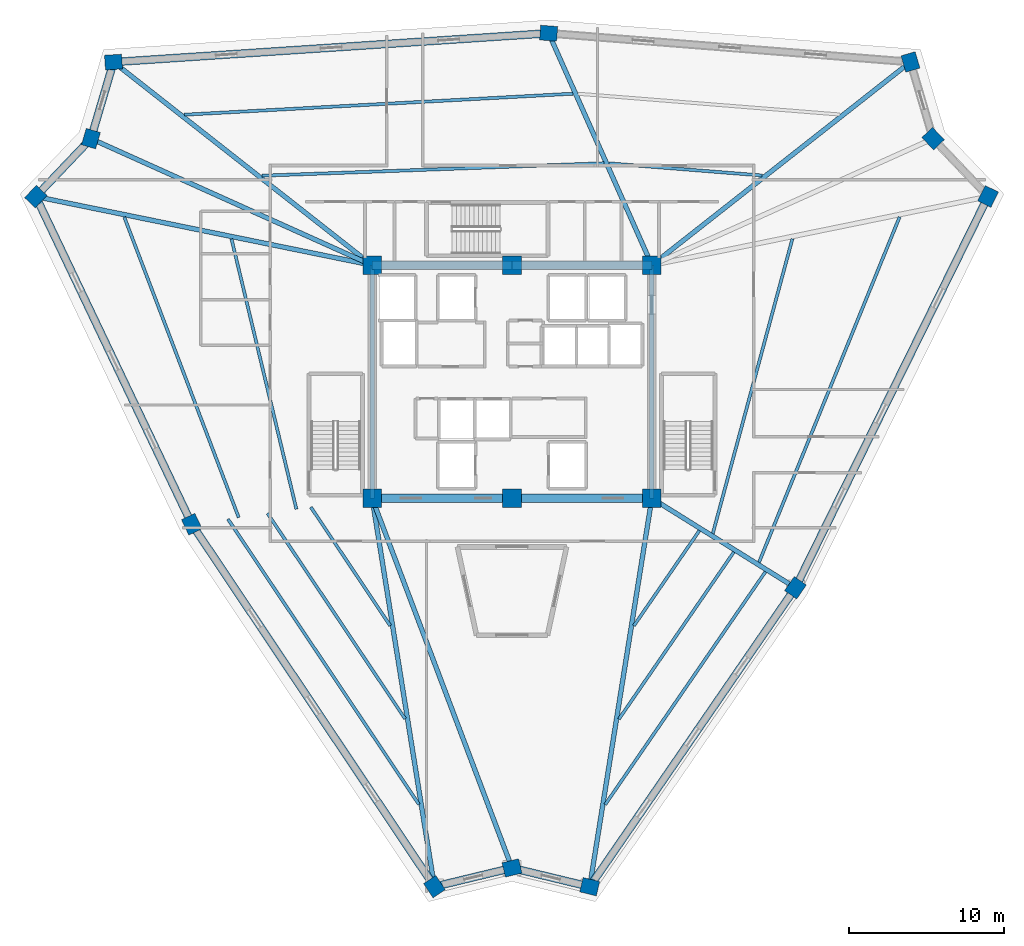
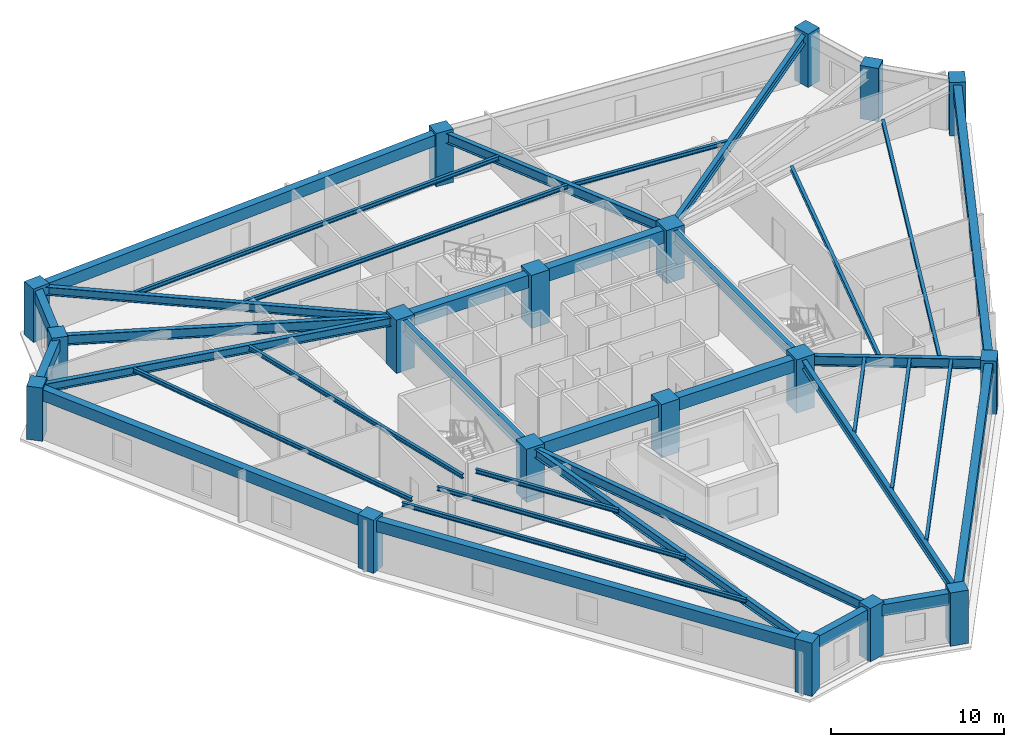
# One storey, part 1 of 10: 37 beams, 18 columns.
"""IFC4 building model written with IfcOpenShell, lengths in metres."""

from ifc_helpers import new_model, si_unit, direction, frame, origin, origin_2d, place, context, subcontext, project, spatial, rectangle, i_section, extrude, source, transform, mapped, material, material_profile, profile_set, type_object, element, save


model = new_model("IFC4")

# Units and contexts
model_context = context("Model", 3, precision=1e-05, world=origin(), true_north=direction((0.0, 1.0)))
body_context = subcontext(model_context, "Body", "Model", "MODEL_VIEW")
ifc_project = project(units=[si_unit("LENGTHUNIT", "METRE"), si_unit("AREAUNIT", "SQUARE_METRE"), si_unit("VOLUMEUNIT", "CUBIC_METRE"), si_unit("PLANEANGLEUNIT", "RADIAN"), si_unit("MASSUNIT", "GRAM", prefix="KILO")], contexts=[model_context])

# Site, building, storey
site_placement = place(None, origin())
site = spatial("IfcSite", under=ifc_project, at=site_placement, CompositionType="ELEMENT")
building_placement = place(site_placement, origin())
building = spatial("IfcBuilding", under=site, at=building_placement, Name="Liaohun Quay Tower", CompositionType="ELEMENT")
storey_placement = place(building_placement, frame((0.0, 0.0, 286.5)))
storey = spatial("IfcBuildingStorey", under=building, at=storey_placement, Name="L74", CompositionType="ELEMENT", Elevation=286.5)

# Columns
ifc_material_1 = material(Name="Concrete C50", Category="concrete")
ifc_material_profile_1 = material_profile(ifc_material_1, rectangle(XDim=1.199951171875, YDim=1.199951171875, at=origin_2d()), Name="RC1200x1200")
ifc_profile_set_1 = profile_set([ifc_material_profile_1], Name="Concrete C50")
column_type_1 = type_object("IfcColumnType", Name="COL-CC-Z4", PredefinedType="COLUMN", material=ifc_profile_set_1)
shared_shape_1 = source(origin(), body_context, "Body", "SweptSolid", [
    extrude(rectangle(XDim=1.199951171875, YDim=1.199951171875, at=origin_2d()), origin(), (0.0, 0.0, 1.0), 3.75),
])
for number, where, z_axis, x_axis, name in (
    (1, (51.0, 46.5, 0.0), (0.0, 0.0, 1.0), (1.0, 0.0, 0.0), "L74 Core Column CC1"),
    (2, (60.0, 46.5, 0.0), (0.0, 0.0, 1.0), (1.0, 0.0, 0.0), "L74 Core Column CC2"),
    (3, (69.0, 46.5, 0.0), (0.0, 0.0, 1.0), (1.0, 0.0, 0.0), "L74 Core Column CC3"),
    (4, (69.0, 61.5, 0.0), (0.0, 0.0, 1.0), (1.0, 0.0, 0.0), "L74 Core Column CC4"),
    (5, (60.0, 61.5, 0.0), (0.0, 0.0, 1.0), (1.0, 0.0, 0.0), "L74 Core Column CC5"),
    (6, (51.0, 61.5, 0.0), (0.0, 0.0, 1.0), (1.0, 0.0, 0.0), "L74 Core Column CC6"),
):
    element("IfcColumn", number, at=place(storey_placement, frame(where, z_axis=z_axis, x_axis=x_axis)), inside=storey, type_object=column_type_1, Name=name, PredefinedType="COLUMN", context=body_context, shape_type="MappedRepresentation", body=[
        mapped(shared_shape_1, transform((0.0, 0.0, 0.0), x_axis=(1.0, 0.0, 0.0), y_axis=(0.0, 1.0, 0.0), z_axis=(0.0, 0.0, 1.0), scale=1.0)),
    ])
ifc_material_profile_2 = material_profile(ifc_material_1, rectangle(XDim=1.10009765625, YDim=0.949951171875, at=origin_2d()), Name="RC1100x950")
ifc_profile_set_2 = profile_set([ifc_material_profile_2], Name="Concrete C50")
column_type_2 = type_object("IfcColumnType", Name="COL-PIER-Z4", PredefinedType="COLUMN", material=ifc_profile_set_2)
shared_shape_2 = source(origin(), body_context, "Body", "SweptSolid", [
    extrude(rectangle(XDim=1.10009765625, YDim=0.949951171875, at=origin_2d()), origin(), (0.0, 0.0, 1.0), 3.75),
])
for number, where, z_axis, x_axis, name in (
    (7, (55.008056640625, 21.507080078125, 0.0), (0.0, 0.0, 1.0), (-0.556150572878, 0.831081548518, 0.0), "L74 Perimeter Pier PC01"),
    (8, (39.39697265625, 44.8310546875, 0.0), (0.0, 0.0, 1.0), (-0.429880868547, 0.902885617815, 0.0), "L74 Perimeter Pier PC02"),
    (9, (29.35791015625, 65.9169921875, 0.0), (0.0, 0.0, 1.0), (0.68936671806, 0.724412539946, 0.0), "L74 Perimeter Pier PC03"),
    (10, (32.904052734375, 69.64404296875, 0.0), (0.0, 0.0, 1.0), (0.28284371374, 0.959166009405, 0.0), "L74 Perimeter Pier PC04"),
    (11, (34.35693359375, 74.570068359375, 0.0), (0.0, 0.0, 1.0), (0.997813020072, 0.066099750182, 0.0), "L74 Perimeter Pier PC05"),
    (12, (62.360107421875, 76.427001953125, 0.0), (0.0, 0.0, 1.0), (-0.996862316013, 0.079155056145, 0.0), "L74 Perimeter Pier PC06"),
    (13, (85.64111328125, 74.577880859375, 0.0), (0.0, 0.0, 1.0), (-0.28284371374, 0.959166009405, 0.0), "L74 Perimeter Pier PC07"),
    (14, (87.095947265625, 69.64404296875, 0.0), (0.0, 0.0, 1.0), (-0.68936671806, 0.724412539946, 0.0), "L74 Perimeter Pier PC08"),
    (15, (90.636962890625, 65.923095703125, 0.0), (0.0, 0.0, 1.0), (0.441662447194, 0.897181298701, 0.0), "L74 Perimeter Pier PC09"),
    (16, (78.241943359375, 40.741943359375, 0.0), (0.0, 0.0, 1.0), (0.566981447466, 0.82373056167, 0.0), "L74 Perimeter Pier PC10"),
    (17, (65.0, 21.5048828125, 0.0), (0.0, 0.0, 1.0), (-0.972083987461, 0.234633163303, 0.0), "L74 Perimeter Pier PC11"),
    (18, (60.0, 22.7119140625, 0.0), (0.0, 0.0, 1.0), (0.972083987461, 0.234633163303, 0.0), "L74 Perimeter Pier PC12"),
):
    element("IfcColumn", number, at=place(storey_placement, frame(where, z_axis=z_axis, x_axis=x_axis)), inside=storey, type_object=column_type_2, Name=name, PredefinedType="COLUMN", context=body_context, shape_type="MappedRepresentation", body=[
        mapped(shared_shape_2, transform((0.0, 0.0, 0.0), x_axis=(1.0, 0.0, 0.0), y_axis=(0.0, 1.0, 0.0), z_axis=(0.0, 0.0, 1.0), scale=1.0)),
    ])

# Beams
ifc_material_2 = material(Name="Steel Q355D", Category="steel")
ifc_material_profile_3 = material_profile(ifc_material_2, i_section(OverallWidth=0.300048828125, OverallDepth=0.800048828125, WebThickness=0.013916015625, FlangeThickness=0.02587890625, at=origin_2d()), Name="HN800x300x14x26")
ifc_profile_set_3 = profile_set([ifc_material_profile_3], Name="Steel Q355D")
beam_type_1 = type_object("IfcBeamType", Name="BM-RAD-M1", PredefinedType="BEAM", material=ifc_profile_set_3)
shared_shape_3 = source(origin(), body_context, "Body", "SweptSolid", [
    extrude(i_section(OverallWidth=0.300048828125, OverallDepth=0.800048828125, WebThickness=0.013916015625, FlangeThickness=0.02587890625, at=origin_2d()), origin(), (0.0, 0.0, 1.0), 15.0),
])
for number, where, z_axis, x_axis, name in (
    (19, (69.0, 46.5, 3.169921875), (0.0, 1.0, 0.0), (-1.0, 0.0, 0.0), "L74 Core Coupling/Ring Beam CC3-CC4"),
    (20, (51.0, 61.5, 3.169921875), (0.0, -1.0, 0.0), (1.0, 0.0, 0.0), "L74 Core Coupling/Ring Beam CC6-CC1"),
):
    element("IfcBeam", number, at=place(storey_placement, frame(where, z_axis=z_axis, x_axis=x_axis)), inside=storey, type_object=beam_type_1, Name=name, PredefinedType="BEAM", context=body_context, shape_type="MappedRepresentation", body=[
        mapped(shared_shape_3, transform((0.0, 0.0, 0.0), x_axis=(1.0, 0.0, 0.0), y_axis=(0.0, 1.0, 0.0), z_axis=(0.0, 0.0, 1.0), scale=1.0)),
    ])
ifc_material_3 = material(Name="Concrete C55", Category="concrete")
ifc_material_profile_4 = material_profile(ifc_material_3, rectangle(XDim=0.550048828125, YDim=0.89990234375, at=origin_2d()), Name="RC550x900")
ifc_profile_set_4 = profile_set([ifc_material_profile_4], Name="Concrete C55")
beam_type_2 = type_object("IfcBeamType", Name="BM-CPL-2", PredefinedType="LINTEL", material=ifc_profile_set_4)
shared_shape_4 = source(origin(), body_context, "Body", "SweptSolid", [
    extrude(rectangle(XDim=0.550048828125, YDim=0.89990234375, at=origin_2d()), origin(), (0.0, 0.0, 1.0), 9.0),
])
for number, where, z_axis, x_axis, name in (
    (21, (51.0, 46.5, 3.1201171875), (1.0, 0.0, 0.0), (0.0, 1.0, 0.0), "L74 Core Coupling/Ring Beam CC1-CC2"),
    (22, (60.0, 46.5, 3.1201171875), (1.0, 0.0, 0.0), (0.0, 1.0, 0.0), "L74 Core Coupling/Ring Beam CC2-CC3"),
    (23, (69.0, 61.5, 3.1201171875), (-1.0, 0.0, 0.0), (0.0, -1.0, 0.0), "L74 Core Coupling/Ring Beam CC4-CC5"),
    (24, (60.0, 61.5, 3.1201171875), (-1.0, 0.0, 0.0), (0.0, -1.0, 0.0), "L74 Core Coupling/Ring Beam CC5-CC6"),
):
    element("IfcBeam", number, at=place(storey_placement, frame(where, z_axis=z_axis, x_axis=x_axis)), inside=storey, type_object=beam_type_2, Name=name, PredefinedType="LINTEL", context=body_context, shape_type="MappedRepresentation", body=[
        mapped(shared_shape_4, transform((0.0, 0.0, 0.0), x_axis=(1.0, 0.0, 0.0), y_axis=(0.0, 1.0, 0.0), z_axis=(0.0, 0.0, 1.0), scale=1.0)),
    ])
ifc_material_profile_5 = material_profile(ifc_material_2, i_section(OverallWidth=0.300048828125, OverallDepth=0.587890625, WebThickness=0.011962890625, FlangeThickness=0.02001953125, at=origin_2d()), Name="HM588x300x12x20")
ifc_profile_set_5 = profile_set([ifc_material_profile_5], Name="Steel Q355D")
beam_type_3 = type_object("IfcBeamType", Name="BM-RAD-U2", PredefinedType="BEAM", material=ifc_profile_set_5)
shared_shape_5 = source(origin(), body_context, "Body", "SweptSolid", [
    extrude(i_section(OverallWidth=0.300048828125, OverallDepth=0.587890625, WebThickness=0.011962890625, FlangeThickness=0.02001953125, at=origin_2d()), origin(), (0.0, 0.0, 1.0), 25.312255859375),
])
beam_1_placement = place(storey_placement, frame((51.0, 46.5, 3.27587890625), z_axis=(0.158344472575, -0.987383931409, 0.0), x_axis=(0.987383931409, 0.158344472575, 0.0)))
element("IfcBeam", 25, at=beam_1_placement, inside=storey, type_object=beam_type_3, Name="L74 Radial Primary Girder CC1-PC01", PredefinedType="BEAM", context=body_context, shape_type="MappedRepresentation", body=[
    mapped(shared_shape_5, transform((0.0, 0.0, 0.0), x_axis=(1.0, 0.0, 0.0), y_axis=(0.0, 1.0, 0.0), z_axis=(0.0, 0.0, 1.0), scale=1.0)),
])
shared_shape_6 = source(origin(), body_context, "Body", "SweptSolid", [
    extrude(i_section(OverallWidth=0.300048828125, OverallDepth=0.587890625, WebThickness=0.011962890625, FlangeThickness=0.02001953125, at=origin_2d()), origin(), (0.0, 0.0, 1.0), 22.088134765625),
])
beam_2_placement = place(storey_placement, frame((51.0, 61.5, 3.27587890625), z_axis=(-0.979801937403, 0.199970406465, 0.0), x_axis=(-0.199970406465, -0.979801937403, 0.0)))
element("IfcBeam", 26, at=beam_2_placement, inside=storey, type_object=beam_type_3, Name="L74 Radial Primary Girder CC6-PC03", PredefinedType="BEAM", context=body_context, shape_type="MappedRepresentation", body=[
    mapped(shared_shape_6, transform((0.0, 0.0, 0.0), x_axis=(1.0, 0.0, 0.0), y_axis=(0.0, 1.0, 0.0), z_axis=(0.0, 0.0, 1.0), scale=1.0)),
])
ifc_material_profile_6 = material_profile(ifc_material_2, i_section(OverallWidth=0.300048828125, OverallDepth=0.699951171875, WebThickness=0.012939453125, FlangeThickness=0.02392578125, at=origin_2d()), Name="HN700x300x13x24")
ifc_profile_set_6 = profile_set([ifc_material_profile_6], Name="Steel Q355D")
beam_type_4 = type_object("IfcBeamType", Name="BM-RAD-U1", PredefinedType="BEAM", material=ifc_profile_set_6)
shared_shape_7 = source(origin(), body_context, "Body", "SweptSolid", [
    extrude(i_section(OverallWidth=0.300048828125, OverallDepth=0.699951171875, WebThickness=0.012939453125, FlangeThickness=0.02392578125, at=origin_2d()), origin(), (0.0, 0.0, 1.0), 19.843994140625),
])
beam_3_placement = place(storey_placement, frame((51.0, 61.5, 3.219970703125), z_axis=(-0.911905160232, 0.410400997491, 0.0), x_axis=(-0.410400997491, -0.911905160232, 0.0)))
element("IfcBeam", 27, at=beam_3_placement, inside=storey, type_object=beam_type_4, Name="L74 Radial Primary Girder CC6-PC04", PredefinedType="BEAM", context=body_context, shape_type="MappedRepresentation", body=[
    mapped(shared_shape_7, transform((0.0, 0.0, 0.0), x_axis=(1.0, 0.0, 0.0), y_axis=(0.0, 1.0, 0.0), z_axis=(0.0, 0.0, 1.0), scale=1.0)),
])
shared_shape_8 = source(origin(), body_context, "Body", "SweptSolid", [
    extrude(i_section(OverallWidth=0.300048828125, OverallDepth=0.587890625, WebThickness=0.011962890625, FlangeThickness=0.02001953125, at=origin_2d()), origin(), (0.0, 0.0, 1.0), 21.16162109375),
])
beam_4_placement = place(storey_placement, frame((51.0, 61.5, 3.27587890625), z_axis=(-0.786470441926, 0.617627917097, 0.0), x_axis=(-0.617627917097, -0.786470441926, 0.0)))
element("IfcBeam", 28, at=beam_4_placement, inside=storey, type_object=beam_type_3, Name="L74 Radial Primary Girder CC6-PC05", PredefinedType="BEAM", context=body_context, shape_type="MappedRepresentation", body=[
    mapped(shared_shape_8, transform((0.0, 0.0, 0.0), x_axis=(1.0, 0.0, 0.0), y_axis=(0.0, 1.0, 0.0), z_axis=(0.0, 0.0, 1.0), scale=1.0)),
])
shared_shape_9 = source(origin(), body_context, "Body", "SweptSolid", [
    extrude(i_section(OverallWidth=0.300048828125, OverallDepth=0.699951171875, WebThickness=0.012939453125, FlangeThickness=0.02392578125, at=origin_2d()), origin(), (0.0, 0.0, 1.0), 16.337158203125),
])
beam_5_placement = place(storey_placement, frame((69.0, 61.5, 3.219970703125), z_axis=(-0.406428233319, 0.913682708144, 0.0), x_axis=(-0.913682708144, -0.406428233319, 0.0)))
element("IfcBeam", 29, at=beam_5_placement, inside=storey, type_object=beam_type_4, Name="L74 Radial Primary Girder CC4-PC06", PredefinedType="BEAM", context=body_context, shape_type="MappedRepresentation", body=[
    mapped(shared_shape_9, transform((0.0, 0.0, 0.0), x_axis=(1.0, 0.0, 0.0), y_axis=(0.0, 1.0, 0.0), z_axis=(0.0, 0.0, 1.0), scale=1.0)),
])
shared_shape_10 = source(origin(), body_context, "Body", "SweptSolid", [
    extrude(i_section(OverallWidth=0.300048828125, OverallDepth=0.587890625, WebThickness=0.011962890625, FlangeThickness=0.02001953125, at=origin_2d()), origin(), (0.0, 0.0, 1.0), 21.1650390625),
])
beam_6_placement = place(storey_placement, frame((69.0, 61.5, 3.27587890625), z_axis=(0.786255892403, 0.617901020926, 0.0), x_axis=(-0.617901020926, 0.786255892403, 0.0)))
element("IfcBeam", 30, at=beam_6_placement, inside=storey, type_object=beam_type_3, Name="L74 Radial Primary Girder CC4-PC07", PredefinedType="BEAM", context=body_context, shape_type="MappedRepresentation", body=[
    mapped(shared_shape_10, transform((0.0, 0.0, 0.0), x_axis=(1.0, 0.0, 0.0), y_axis=(0.0, 1.0, 0.0), z_axis=(0.0, 0.0, 1.0), scale=1.0)),
])
shared_shape_11 = source(origin(), body_context, "Body", "SweptSolid", [
    extrude(i_section(OverallWidth=0.300048828125, OverallDepth=0.699951171875, WebThickness=0.012939453125, FlangeThickness=0.02392578125, at=origin_2d()), origin(), (0.0, 0.0, 1.0), 10.888916015625),
])
beam_7_placement = place(storey_placement, frame((69.0, 46.5, 3.219970703125), z_axis=(0.848746922137, -0.528799264525, 0.0), x_axis=(0.528799264525, 0.848746922137, 0.0)))
element("IfcBeam", 31, at=beam_7_placement, inside=storey, type_object=beam_type_4, Name="L74 Radial Primary Girder CC3-PC10", PredefinedType="BEAM", context=body_context, shape_type="MappedRepresentation", body=[
    mapped(shared_shape_11, transform((0.0, 0.0, 0.0), x_axis=(1.0, 0.0, 0.0), y_axis=(0.0, 1.0, 0.0), z_axis=(0.0, 0.0, 1.0), scale=1.0)),
])
shared_shape_12 = source(origin(), body_context, "Body", "SweptSolid", [
    extrude(i_section(OverallWidth=0.300048828125, OverallDepth=0.587890625, WebThickness=0.011962890625, FlangeThickness=0.02001953125, at=origin_2d()), origin(), (0.0, 0.0, 1.0), 25.313232421875),
])
beam_8_placement = place(storey_placement, frame((69.0, 46.5, 3.27587890625), z_axis=(-0.158020594049, -0.987435816576, 0.0), x_axis=(0.987435816576, -0.158020594049, 0.0)))
element("IfcBeam", 32, at=beam_8_placement, inside=storey, type_object=beam_type_3, Name="L74 Radial Primary Girder CC3-PC11", PredefinedType="BEAM", context=body_context, shape_type="MappedRepresentation", body=[
    mapped(shared_shape_12, transform((0.0, 0.0, 0.0), x_axis=(1.0, 0.0, 0.0), y_axis=(0.0, 1.0, 0.0), z_axis=(0.0, 0.0, 1.0), scale=1.0)),
])
shared_shape_13 = source(origin(), body_context, "Body", "SweptSolid", [
    extrude(i_section(OverallWidth=0.300048828125, OverallDepth=0.699951171875, WebThickness=0.012939453125, FlangeThickness=0.02392578125, at=origin_2d()), origin(), (0.0, 0.0, 1.0), 25.43359375),
])
beam_9_placement = place(storey_placement, frame((51.0, 46.5, 3.219970703125), z_axis=(0.353861232896, -0.935297935341, 0.0), x_axis=(0.935297935341, 0.353861232896, 0.0)))
element("IfcBeam", 33, at=beam_9_placement, inside=storey, type_object=beam_type_4, Name="L74 Radial Primary Girder CC1-PC12", PredefinedType="BEAM", context=body_context, shape_type="MappedRepresentation", body=[
    mapped(shared_shape_13, transform((0.0, 0.0, 0.0), x_axis=(1.0, 0.0, 0.0), y_axis=(0.0, 1.0, 0.0), z_axis=(0.0, 0.0, 1.0), scale=1.0)),
])
ifc_material_profile_7 = material_profile(ifc_material_2, i_section(OverallWidth=0.199951171875, OverallDepth=0.2939453125, WebThickness=0.008056640625, FlangeThickness=0.011962890625, at=origin_2d()), Name="HM294x200x8x12")
ifc_profile_set_7 = profile_set([ifc_material_profile_7], Name="Steel Q355D")
beam_type_5 = type_object("IfcBeamType", Name="BM-SEC-J4", PredefinedType="JOIST", material=ifc_profile_set_7)
shared_shape_14 = source(origin(), body_context, "Body", "SweptSolid", [
    extrude(i_section(OverallWidth=0.199951171875, OverallDepth=0.2939453125, WebThickness=0.008056640625, FlangeThickness=0.011962890625, at=origin_2d()), origin(), (0.0, 0.0, 1.0), 9.183837890625),
])
beam_10_placement = place(storey_placement, frame((52.1630859375, 38.301025390625, 3.423095703125), z_axis=(-0.556214557636, 0.83103872706, 0.0), x_axis=(-0.83103872706, -0.556214557636, 0.0)))
element("IfcBeam", 34, at=beam_10_placement, inside=storey, type_object=beam_type_5, Name="L74 Wing Secondary Floor Joist SJ-01", PredefinedType="JOIST", context=body_context, shape_type="MappedRepresentation", body=[
    mapped(shared_shape_14, transform((0.0, 0.0, 0.0), x_axis=(1.0, 0.0, 0.0), y_axis=(0.0, 1.0, 0.0), z_axis=(0.0, 0.0, 1.0), scale=1.0)),
])
shared_shape_15 = source(origin(), body_context, "Body", "SweptSolid", [
    extrude(i_section(OverallWidth=0.199951171875, OverallDepth=0.2939453125, WebThickness=0.008056640625, FlangeThickness=0.011962890625, at=origin_2d()), origin(), (0.0, 0.0, 1.0), 15.919189453125),
])
beam_11_placement = place(storey_placement, frame((53.125, 32.302978515625, 3.423095703125), z_axis=(-0.556249384541, 0.831015416342, 0.0), x_axis=(-0.831015416342, -0.556249384541, 0.0)))
element("IfcBeam", 35, at=beam_11_placement, inside=storey, type_object=beam_type_5, Name="L74 Wing Secondary Floor Joist SJ-02", PredefinedType="JOIST", context=body_context, shape_type="MappedRepresentation", body=[
    mapped(shared_shape_15, transform((0.0, 0.0, 0.0), x_axis=(1.0, 0.0, 0.0), y_axis=(0.0, 1.0, 0.0), z_axis=(0.0, 0.0, 1.0), scale=1.0)),
])
shared_shape_16 = source(origin(), body_context, "Body", "SweptSolid", [
    extrude(i_section(OverallWidth=0.199951171875, OverallDepth=0.2939453125, WebThickness=0.008056640625, FlangeThickness=0.011962890625, at=origin_2d()), origin(), (0.0, 0.0, 1.0), 22.09423828125),
])
beam_12_placement = place(storey_placement, frame((54.007080078125, 26.803955078125, 3.423095703125), z_axis=(-0.556213980293, 0.831039113476, 0.0), x_axis=(-0.831039113476, -0.556213980293, 0.0)))
element("IfcBeam", 36, at=beam_12_placement, inside=storey, type_object=beam_type_5, Name="L74 Wing Secondary Floor Joist SJ-03", PredefinedType="JOIST", context=body_context, shape_type="MappedRepresentation", body=[
    mapped(shared_shape_16, transform((0.0, 0.0, 0.0), x_axis=(1.0, 0.0, 0.0), y_axis=(0.0, 1.0, 0.0), z_axis=(0.0, 0.0, 1.0), scale=1.0)),
])
shared_shape_17 = source(origin(), body_context, "Body", "SweptSolid", [
    extrude(i_section(OverallWidth=0.199951171875, OverallDepth=0.2939453125, WebThickness=0.008056640625, FlangeThickness=0.011962890625, at=origin_2d()), origin(), (0.0, 0.0, 1.0), 17.8896484375),
])
beam_13_placement = place(storey_placement, frame((46.126953125, 45.799072265625, 3.423095703125), z_axis=(-0.233540697382, 0.9723470279, 0.0), x_axis=(-0.9723470279, -0.233540697382, 0.0)))
element("IfcBeam", 37, at=beam_13_placement, inside=storey, type_object=beam_type_5, Name="L74 Wing Secondary Floor Joist SJ-04", PredefinedType="JOIST", context=body_context, shape_type="MappedRepresentation", body=[
    mapped(shared_shape_17, transform((0.0, 0.0, 0.0), x_axis=(1.0, 0.0, 0.0), y_axis=(0.0, 1.0, 0.0), z_axis=(0.0, 0.0, 1.0), scale=1.0)),
])
shared_shape_18 = source(origin(), body_context, "Body", "SweptSolid", [
    extrude(i_section(OverallWidth=0.199951171875, OverallDepth=0.2939453125, WebThickness=0.008056640625, FlangeThickness=0.011962890625, at=origin_2d()), origin(), (0.0, 0.0, 1.0), 20.693603515625),
])
beam_14_placement = place(storey_placement, frame((42.4140625, 45.264892578125, 3.423095703125), z_axis=(-0.355955588077, 0.934502872824, 0.0), x_axis=(-0.934502872824, -0.355955588077, 0.0)))
element("IfcBeam", 38, at=beam_14_placement, inside=storey, type_object=beam_type_5, Name="L74 Wing Secondary Floor Joist SJ-05", PredefinedType="JOIST", context=body_context, shape_type="MappedRepresentation", body=[
    mapped(shared_shape_18, transform((0.0, 0.0, 0.0), x_axis=(1.0, 0.0, 0.0), y_axis=(0.0, 1.0, 0.0), z_axis=(0.0, 0.0, 1.0), scale=1.0)),
])
shared_shape_19 = source(origin(), body_context, "Body", "SweptSolid", [
    extrude(i_section(OverallWidth=0.199951171875, OverallDepth=0.2939453125, WebThickness=0.008056640625, FlangeThickness=0.011962890625, at=origin_2d()), origin(), (0.0, 0.0, 1.0), 22.022705078125),
])
beam_15_placement = place(storey_placement, frame((43.908935546875, 67.259033203125, 3.423095703125), z_axis=(0.999335062037, 0.036461401287, 0.0), x_axis=(-0.036461401287, 0.999335062037, 0.0)))
element("IfcBeam", 39, at=beam_15_placement, inside=storey, type_object=beam_type_5, Name="L74 Wing Secondary Floor Joist SJ-06", PredefinedType="JOIST", context=body_context, shape_type="MappedRepresentation", body=[
    mapped(shared_shape_19, transform((0.0, 0.0, 0.0), x_axis=(1.0, 0.0, 0.0), y_axis=(0.0, 1.0, 0.0), z_axis=(0.0, 0.0, 1.0), scale=1.0)),
])
shared_shape_20 = source(origin(), body_context, "Body", "SweptSolid", [
    extrude(i_section(OverallWidth=0.199951171875, OverallDepth=0.2939453125, WebThickness=0.008056640625, FlangeThickness=0.011962890625, at=origin_2d()), origin(), (0.0, 0.0, 1.0), 25.0517578125),
])
beam_16_placement = place(storey_placement, frame((38.910888671875, 71.18408203125, 3.423095703125), z_axis=(0.99854042723, 0.054009399072, 0.0), x_axis=(-0.054009399072, 0.99854042723, 0.0)))
element("IfcBeam", 40, at=beam_16_placement, inside=storey, type_object=beam_type_5, Name="L74 Wing Secondary Floor Joist SJ-07", PredefinedType="JOIST", context=body_context, shape_type="MappedRepresentation", body=[
    mapped(shared_shape_20, transform((0.0, 0.0, 0.0), x_axis=(1.0, 0.0, 0.0), y_axis=(0.0, 1.0, 0.0), z_axis=(0.0, 0.0, 1.0), scale=1.0)),
])
shared_shape_21 = source(origin(), body_context, "Body", "SweptSolid", [
    extrude(i_section(OverallWidth=0.199951171875, OverallDepth=0.2939453125, WebThickness=0.008056640625, FlangeThickness=0.011962890625, at=origin_2d()), origin(), (0.0, 0.0, 1.0), 9.884033203125),
])
beam_17_placement = place(storey_placement, frame((66.2490234375, 68.053955078125, 3.423095703125), z_axis=(0.996865423498, -0.07911591138, 0.0), x_axis=(0.07911591138, 0.996865423498, 0.0)))
element("IfcBeam", 41, at=beam_17_placement, inside=storey, type_object=beam_type_5, Name="L74 Wing Secondary Floor Joist SJ-08", PredefinedType="JOIST", context=body_context, shape_type="MappedRepresentation", body=[
    mapped(shared_shape_21, transform((0.0, 0.0, 0.0), x_axis=(1.0, 0.0, 0.0), y_axis=(0.0, 1.0, 0.0), z_axis=(0.0, 0.0, 1.0), scale=1.0)),
])
shared_shape_22 = source(origin(), body_context, "Body", "SweptSolid", [
    extrude(i_section(OverallWidth=0.199951171875, OverallDepth=0.2939453125, WebThickness=0.008056640625, FlangeThickness=0.011962890625, at=origin_2d()), origin(), (0.0, 0.0, 1.0), 19.642578125),
])
beam_18_placement = place(storey_placement, frame((78.0439453125, 63.196044921875, 3.423095703125), z_axis=(-0.260750302979, -0.96540627691, 0.0), x_axis=(0.96540627691, -0.260750302979, 0.0)))
element("IfcBeam", 42, at=beam_18_placement, inside=storey, type_object=beam_type_5, Name="L74 Wing Secondary Floor Joist SJ-10", PredefinedType="JOIST", context=body_context, shape_type="MappedRepresentation", body=[
    mapped(shared_shape_22, transform((0.0, 0.0, 0.0), x_axis=(1.0, 0.0, 0.0), y_axis=(0.0, 1.0, 0.0), z_axis=(0.0, 0.0, 1.0), scale=1.0)),
])
shared_shape_23 = source(origin(), body_context, "Body", "SweptSolid", [
    extrude(i_section(OverallWidth=0.199951171875, OverallDepth=0.2939453125, WebThickness=0.008056640625, FlangeThickness=0.011962890625, at=origin_2d()), origin(), (0.0, 0.0, 1.0), 23.996826171875),
])
beam_19_placement = place(storey_placement, frame((84.943115234375, 64.60595703125, 3.423095703125), z_axis=(-0.377012803368, -0.926208046875, 0.0), x_axis=(0.926208046875, -0.377012803368, 0.0)))
element("IfcBeam", 43, at=beam_19_placement, inside=storey, type_object=beam_type_5, Name="L74 Wing Secondary Floor Joist SJ-11", PredefinedType="JOIST", context=body_context, shape_type="MappedRepresentation", body=[
    mapped(shared_shape_23, transform((0.0, 0.0, 0.0), x_axis=(1.0, 0.0, 0.0), y_axis=(0.0, 1.0, 0.0), z_axis=(0.0, 0.0, 1.0), scale=1.0)),
])
shared_shape_24 = source(origin(), body_context, "Body", "SweptSolid", [
    extrude(i_section(OverallWidth=0.199951171875, OverallDepth=0.2939453125, WebThickness=0.008056640625, FlangeThickness=0.011962890625, at=origin_2d()), origin(), (0.0, 0.0, 1.0), 7.44140625),
])
beam_20_placement = place(storey_placement, frame((72.056884765625, 44.4189453125, 3.423095703125), z_axis=(-0.566957601742, -0.823746974396, 0.0), x_axis=(0.823746974396, -0.566957601742, 0.0)))
element("IfcBeam", 44, at=beam_20_placement, inside=storey, type_object=beam_type_5, Name="L74 Wing Secondary Floor Joist SJ-12", PredefinedType="JOIST", context=body_context, shape_type="MappedRepresentation", body=[
    mapped(shared_shape_24, transform((0.0, 0.0, 0.0), x_axis=(1.0, 0.0, 0.0), y_axis=(0.0, 1.0, 0.0), z_axis=(0.0, 0.0, 1.0), scale=1.0)),
])
shared_shape_25 = source(origin(), body_context, "Body", "SweptSolid", [
    extrude(i_section(OverallWidth=0.199951171875, OverallDepth=0.2939453125, WebThickness=0.008056640625, FlangeThickness=0.011962890625, at=origin_2d()), origin(), (0.0, 0.0, 1.0), 13.046630859375),
])
beam_21_placement = place(storey_placement, frame((74.27490234375, 43.037109375, 3.423095703125), z_axis=(-0.566963955692, -0.823742601148, 0.0), x_axis=(0.823742601148, -0.566963955692, 0.0)))
element("IfcBeam", 45, at=beam_21_placement, inside=storey, type_object=beam_type_5, Name="L74 Wing Secondary Floor Joist SJ-13", PredefinedType="JOIST", context=body_context, shape_type="MappedRepresentation", body=[
    mapped(shared_shape_25, transform((0.0, 0.0, 0.0), x_axis=(1.0, 0.0, 0.0), y_axis=(0.0, 1.0, 0.0), z_axis=(0.0, 0.0, 1.0), scale=1.0)),
])
shared_shape_26 = source(origin(), body_context, "Body", "SweptSolid", [
    extrude(i_section(OverallWidth=0.199951171875, OverallDepth=0.2939453125, WebThickness=0.008056640625, FlangeThickness=0.011962890625, at=origin_2d()), origin(), (0.0, 0.0, 1.0), 18.183349609375),
])
beam_22_placement = place(storey_placement, frame((76.30810546875, 41.77001953125, 3.423095703125), z_axis=(-0.567001684763, -0.823716631783, 0.0), x_axis=(0.823716631783, -0.567001684763, 0.0)))
element("IfcBeam", 46, at=beam_22_placement, inside=storey, type_object=beam_type_5, Name="L74 Wing Secondary Floor Joist SJ-14", PredefinedType="JOIST", context=body_context, shape_type="MappedRepresentation", body=[
    mapped(shared_shape_26, transform((0.0, 0.0, 0.0), x_axis=(1.0, 0.0, 0.0), y_axis=(0.0, 1.0, 0.0), z_axis=(0.0, 0.0, 1.0), scale=1.0)),
])
ifc_material_4 = material(Name="Precast concrete C50", Category="concrete")
ifc_material_profile_8 = material_profile(ifc_material_4, rectangle(XDim=0.5, YDim=0.800048828125, at=origin_2d()), Name="RC500x800")
ifc_profile_set_8 = profile_set([ifc_material_profile_8], Name="Precast concrete C50")
beam_type_6 = type_object("IfcBeamType", Name="BM-SPD-Z4", PredefinedType="SPANDREL", material=ifc_profile_set_8)
shared_shape_27 = source(origin(), body_context, "Body", "SweptSolid", [
    extrude(rectangle(XDim=0.5, YDim=0.800048828125, at=origin_2d()), origin(), (0.0, 0.0, 1.0), 28.066162109375),
])
beam_23_placement = place(storey_placement, frame((55.008056640625, 21.507080078125, 3.169921875), z_axis=(-0.556222882219, 0.831033155353, 0.0), x_axis=(-0.831033155353, -0.556222882219, 0.0)))
element("IfcBeam", 47, at=beam_23_placement, inside=storey, type_object=beam_type_6, Name="L74 Precast Spandrel Beam PC01-PC02", PredefinedType="SPANDREL", context=body_context, shape_type="MappedRepresentation", body=[
    mapped(shared_shape_27, transform((0.0, 0.0, 0.0), x_axis=(1.0, 0.0, 0.0), y_axis=(0.0, 1.0, 0.0), z_axis=(0.0, 0.0, 1.0), scale=1.0)),
])
shared_shape_28 = source(origin(), body_context, "Body", "SweptSolid", [
    extrude(rectangle(XDim=0.5, YDim=0.800048828125, at=origin_2d()), origin(), (0.0, 0.0, 1.0), 23.353759765625),
])
beam_24_placement = place(storey_placement, frame((39.39697265625, 44.8310546875, 3.169921875), z_axis=(-0.429868652378, 0.902891434062, 0.0), x_axis=(-0.902891434062, -0.429868652378, 0.0)))
element("IfcBeam", 48, at=beam_24_placement, inside=storey, type_object=beam_type_6, Name="L74 Precast Spandrel Beam PC02-PC03", PredefinedType="SPANDREL", context=body_context, shape_type="MappedRepresentation", body=[
    mapped(shared_shape_28, transform((0.0, 0.0, 0.0), x_axis=(1.0, 0.0, 0.0), y_axis=(0.0, 1.0, 0.0), z_axis=(0.0, 0.0, 1.0), scale=1.0)),
])
shared_shape_29 = source(origin(), body_context, "Body", "SweptSolid", [
    extrude(rectangle(XDim=0.5, YDim=0.800048828125, at=origin_2d()), origin(), (0.0, 0.0, 1.0), 5.14453125),
])
beam_25_placement = place(storey_placement, frame((29.35791015625, 65.9169921875, 3.169921875), z_axis=(0.689305516601, 0.724470775658, 0.0), x_axis=(-0.724470775658, 0.689305516601, 0.0)))
element("IfcBeam", 49, at=beam_25_placement, inside=storey, type_object=beam_type_6, Name="L74 Precast Spandrel Beam PC03-PC04", PredefinedType="SPANDREL", context=body_context, shape_type="MappedRepresentation", body=[
    mapped(shared_shape_29, transform((0.0, 0.0, 0.0), x_axis=(1.0, 0.0, 0.0), y_axis=(0.0, 1.0, 0.0), z_axis=(0.0, 0.0, 1.0), scale=1.0)),
])
shared_shape_30 = source(origin(), body_context, "Body", "SweptSolid", [
    extrude(rectangle(XDim=0.5, YDim=0.800048828125, at=origin_2d()), origin(), (0.0, 0.0, 1.0), 5.1357421875),
])
beam_26_placement = place(storey_placement, frame((32.904052734375, 69.64404296875, 3.169921875), z_axis=(0.282892013425, 0.959151765228, 0.0), x_axis=(-0.959151765228, 0.282892013425, 0.0)))
element("IfcBeam", 50, at=beam_26_placement, inside=storey, type_object=beam_type_6, Name="L74 Precast Spandrel Beam PC04-PC05", PredefinedType="SPANDREL", context=body_context, shape_type="MappedRepresentation", body=[
    mapped(shared_shape_30, transform((0.0, 0.0, 0.0), x_axis=(1.0, 0.0, 0.0), y_axis=(0.0, 1.0, 0.0), z_axis=(0.0, 0.0, 1.0), scale=1.0)),
])
shared_shape_31 = source(origin(), body_context, "Body", "SweptSolid", [
    extrude(rectangle(XDim=0.5, YDim=0.800048828125, at=origin_2d()), origin(), (0.0, 0.0, 1.0), 28.064697265625),
])
beam_27_placement = place(storey_placement, frame((34.35693359375, 74.570068359375, 3.169921875), z_axis=(0.997808614165, 0.066166226269, 0.0), x_axis=(-0.066166226269, 0.997808614165, 0.0)))
element("IfcBeam", 51, at=beam_27_placement, inside=storey, type_object=beam_type_6, Name="L74 Precast Spandrel Beam PC05-PC06", PredefinedType="SPANDREL", context=body_context, shape_type="MappedRepresentation", body=[
    mapped(shared_shape_31, transform((0.0, 0.0, 0.0), x_axis=(1.0, 0.0, 0.0), y_axis=(0.0, 1.0, 0.0), z_axis=(0.0, 0.0, 1.0), scale=1.0)),
])
shared_shape_32 = source(origin(), body_context, "Body", "SweptSolid", [
    extrude(rectangle(XDim=0.5, YDim=0.800048828125, at=origin_2d()), origin(), (0.0, 0.0, 1.0), 28.06640625),
])
beam_28_placement = place(storey_placement, frame((90.636962890625, 65.923095703125, 3.169921875), z_axis=(-0.441630811572, -0.897196871523, 0.0), x_axis=(0.897196871523, -0.441630811572, 0.0)))
element("IfcBeam", 52, at=beam_28_placement, inside=storey, type_object=beam_type_6, Name="L74 Precast Spandrel Beam PC09-PC10", PredefinedType="SPANDREL", context=body_context, shape_type="MappedRepresentation", body=[
    mapped(shared_shape_32, transform((0.0, 0.0, 0.0), x_axis=(1.0, 0.0, 0.0), y_axis=(0.0, 1.0, 0.0), z_axis=(0.0, 0.0, 1.0), scale=1.0)),
])
shared_shape_33 = source(origin(), body_context, "Body", "SweptSolid", [
    extrude(rectangle(XDim=0.5, YDim=0.800048828125, at=origin_2d()), origin(), (0.0, 0.0, 1.0), 23.35400390625),
])
beam_29_placement = place(storey_placement, frame((78.241943359375, 40.741943359375, 3.169921875), z_axis=(-0.567007442429, -0.823712668489, 0.0), x_axis=(0.823712668489, -0.567007442429, 0.0)))
element("IfcBeam", 53, at=beam_29_placement, inside=storey, type_object=beam_type_6, Name="L74 Precast Spandrel Beam PC10-PC11", PredefinedType="SPANDREL", context=body_context, shape_type="MappedRepresentation", body=[
    mapped(shared_shape_33, transform((0.0, 0.0, 0.0), x_axis=(1.0, 0.0, 0.0), y_axis=(0.0, 1.0, 0.0), z_axis=(0.0, 0.0, 1.0), scale=1.0)),
])
shared_shape_34 = source(origin(), body_context, "Body", "SweptSolid", [
    extrude(rectangle(XDim=0.5, YDim=0.800048828125, at=origin_2d()), origin(), (0.0, 0.0, 1.0), 5.1435546875),
])
beam_30_placement = place(storey_placement, frame((65.0, 21.5048828125, 3.169921875), z_axis=(-0.972076235178, 0.234665278648, 0.0), x_axis=(-0.234665278648, -0.972076235178, 0.0)))
element("IfcBeam", 54, at=beam_30_placement, inside=storey, type_object=beam_type_6, Name="L74 Precast Spandrel Beam PC11-PC12", PredefinedType="SPANDREL", context=body_context, shape_type="MappedRepresentation", body=[
    mapped(shared_shape_34, transform((0.0, 0.0, 0.0), x_axis=(1.0, 0.0, 0.0), y_axis=(0.0, 1.0, 0.0), z_axis=(0.0, 0.0, 1.0), scale=1.0)),
])
shared_shape_35 = source(origin(), body_context, "Body", "SweptSolid", [
    extrude(rectangle(XDim=0.5, YDim=0.800048828125, at=origin_2d()), origin(), (0.0, 0.0, 1.0), 5.13525390625),
])
beam_31_placement = place(storey_placement, frame((60.0, 22.7119140625, 3.169921875), z_axis=(-0.972087443273, -0.234618845432, 0.0), x_axis=(0.234618845432, -0.972087443273, 0.0)))
element("IfcBeam", 55, at=beam_31_placement, inside=storey, type_object=beam_type_6, Name="L74 Precast Spandrel Beam PC12-PC01", PredefinedType="SPANDREL", context=body_context, shape_type="MappedRepresentation", body=[
    mapped(shared_shape_35, transform((0.0, 0.0, 0.0), x_axis=(1.0, 0.0, 0.0), y_axis=(0.0, 1.0, 0.0), z_axis=(0.0, 0.0, 1.0), scale=1.0)),
])

save(model, "model.ifc")
